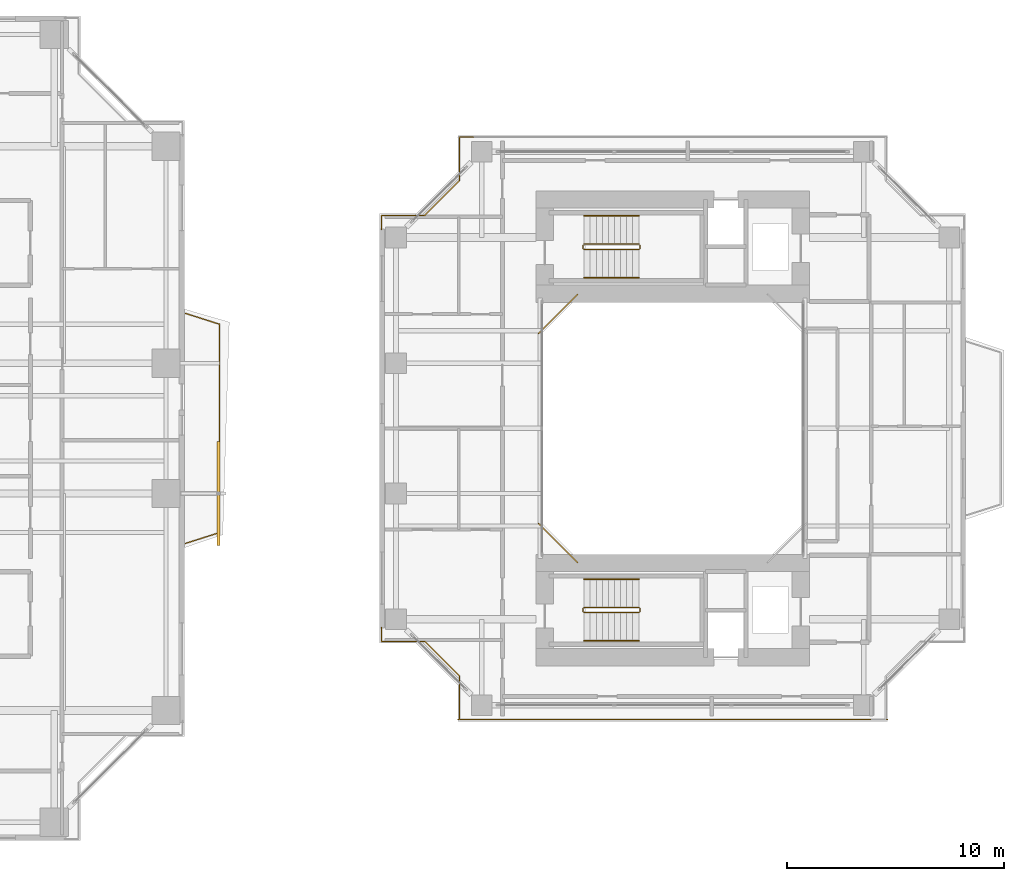
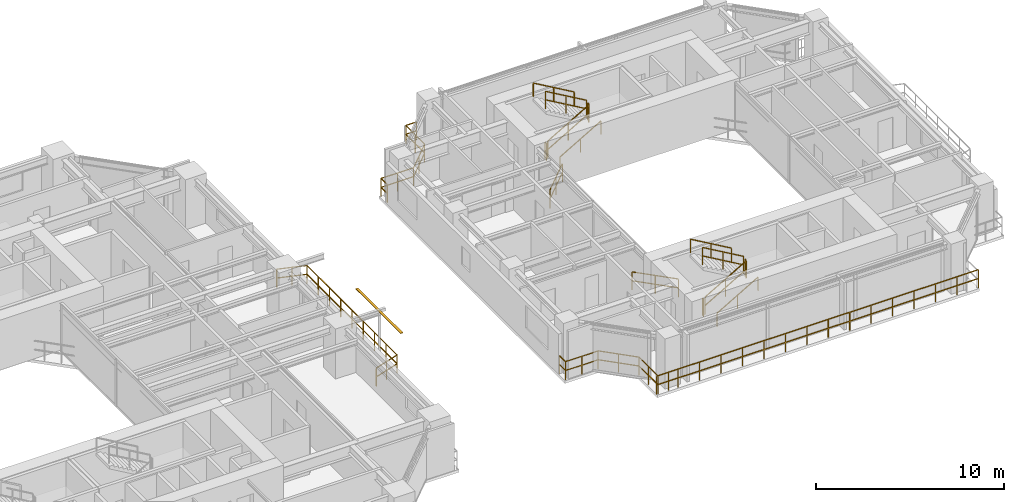
# One storey, part 22 of 24: 18 railings, 1 shading device.
"""IFC4 building model written with IfcOpenShell, lengths in metres."""

from ifc_helpers import new_model, si_unit, direction, frame, origin, origin_2d, place, context, subcontext, project, spatial, rectangle, extrude, source, transform, mapped, material, material_profile, profile_set, type_object, element, save


model = new_model("IFC4")

# Units and contexts
model_context = context("Model", 3, precision=1e-05, world=origin(), true_north=direction((0.0, 1.0)))
body_context = subcontext(model_context, "Body", "Model", "MODEL_VIEW")
ifc_project = project(units=[si_unit("LENGTHUNIT", "METRE"), si_unit("AREAUNIT", "SQUARE_METRE"), si_unit("VOLUMEUNIT", "CUBIC_METRE"), si_unit("PLANEANGLEUNIT", "RADIAN"), si_unit("MASSUNIT", "GRAM", prefix="KILO"), si_unit("THERMODYNAMICTEMPERATUREUNIT", "KELVIN"), si_unit("POWERUNIT", "WATT")], contexts=[model_context])

# Site, building, storey
site_placement = place(None, origin())
site = spatial("IfcSite", under=ifc_project, at=site_placement, CompositionType="ELEMENT")
building_placement = place(site_placement, origin())
building = spatial("IfcBuilding", under=site, at=building_placement, Name="Qiaomeng Ring Towers", CompositionType="ELEMENT")
storey_placement = place(building_placement, frame((0.0, 0.0, 63.25)))
storey = spatial("IfcBuildingStorey", under=building, at=storey_placement, Name="L17", CompositionType="ELEMENT", Elevation=63.25)

# Railings
ifc_material_1 = material(Name="Low-E pale-green laminated safety glass", Category="glass")
railing_type_1 = type_object("IfcRailingType", Name="ARC-RL-BAL1", PredefinedType="BALUSTRADE", material=ifc_material_1)
railing_1_placement = place(storey_placement, frame((38.050048828125, 17.699951171875, 0.0)))
element("IfcRailing", 1, at=railing_1_placement, inside=storey, type_object=railing_type_1, Name="L17 Balustrade ARC-BAL-L17-T1-E", PredefinedType="BALUSTRADE", context=body_context, shape_type="SweptSolid", body=[
    extrude(rectangle(XDim=0.048095703125, YDim=0.048095703125, at=origin_2d()), frame((0.0, 0.0, 1.17578125), z_axis=(0.952849860715, 0.303442157479, 0.0), x_axis=(-0.303442157479, 0.952849860715, 0.0)), (0.0, 0.0, 1.0), 1.647705078125),
    extrude(rectangle(XDim=0.048095703125, YDim=0.048095703125, at=origin_2d()), frame((0.0, 0.0, 0.60009765625), z_axis=(0.952849860715, 0.303442157479, 0.0), x_axis=(-0.303442157479, 0.952849860715, 0.0)), (0.0, 0.0, 1.0), 1.647705078125),
    extrude(rectangle(XDim=0.048095703125, YDim=0.048095703125, at=origin_2d()), frame((1.570068359375, 0.5, 1.17578125), z_axis=(0.0, 1.0, 0.0), x_axis=(-1.0, 0.0, 0.0)), (0.0, 0.0, 1.0), 9.60009765625),
    extrude(rectangle(XDim=0.048095703125, YDim=0.048095703125, at=origin_2d()), frame((1.570068359375, 0.5, 0.60009765625), z_axis=(0.0, 1.0, 0.0), x_axis=(-1.0, 0.0, 0.0)), (0.0, 0.0, 1.0), 9.60009765625),
    extrude(rectangle(XDim=0.048095703125, YDim=0.048095703125, at=origin_2d()), frame((1.570068359375, 10.10009765625, 1.17578125), z_axis=(-0.952849860715, 0.303442157479, 0.0), x_axis=(-0.303442157479, -0.952849860715, 0.0)), (0.0, 0.0, 1.0), 1.647705078125),
    extrude(rectangle(XDim=0.048095703125, YDim=0.048095703125, at=origin_2d()), frame((1.570068359375, 10.10009765625, 0.60009765625), z_axis=(-0.952849860715, 0.303442157479, 0.0), x_axis=(-0.303442157479, -0.952849860715, 0.0)), (0.0, 0.0, 1.0), 1.647705078125),
    extrude(rectangle(XDim=0.0419921875, YDim=0.0419921875, at=origin_2d()), origin(), (0.0, 0.0, 1.0), 1.15185546875),
    extrude(rectangle(XDim=0.0419921875, YDim=0.0419921875, at=origin_2d()), frame((0.78515625, 0.25, 0.0)), (0.0, 0.0, 1.0), 1.15185546875),
    extrude(rectangle(XDim=0.0419921875, YDim=0.0419921875, at=origin_2d()), frame((1.570068359375, 0.5, 0.0)), (0.0, 0.0, 1.0), 1.15185546875),
    extrude(rectangle(XDim=0.0419921875, YDim=0.0419921875, at=origin_2d()), frame((1.570068359375, 1.699951171875, 0.0)), (0.0, 0.0, 1.0), 1.15185546875),
    extrude(rectangle(XDim=0.0419921875, YDim=0.0419921875, at=origin_2d()), frame((1.570068359375, 2.89990234375, 0.0)), (0.0, 0.0, 1.0), 1.15185546875),
    extrude(rectangle(XDim=0.0419921875, YDim=0.0419921875, at=origin_2d()), frame((1.570068359375, 4.10009765625, 0.0)), (0.0, 0.0, 1.0), 1.15185546875),
    extrude(rectangle(XDim=0.0419921875, YDim=0.0419921875, at=origin_2d()), frame((1.570068359375, 5.300048828125, 0.0)), (0.0, 0.0, 1.0), 1.15185546875),
    extrude(rectangle(XDim=0.0419921875, YDim=0.0419921875, at=origin_2d()), frame((1.570068359375, 6.5, 0.0)), (0.0, 0.0, 1.0), 1.15185546875),
    extrude(rectangle(XDim=0.0419921875, YDim=0.0419921875, at=origin_2d()), frame((1.570068359375, 7.7001953125, 0.0)), (0.0, 0.0, 1.0), 1.15185546875),
    extrude(rectangle(XDim=0.0419921875, YDim=0.0419921875, at=origin_2d()), frame((1.570068359375, 8.900146484375, 0.0)), (0.0, 0.0, 1.0), 1.15185546875),
    extrude(rectangle(XDim=0.0419921875, YDim=0.0419921875, at=origin_2d()), frame((1.570068359375, 10.10009765625, 0.0)), (0.0, 0.0, 1.0), 1.15185546875),
    extrude(rectangle(XDim=0.0419921875, YDim=0.0419921875, at=origin_2d()), frame((0.78515625, 10.35009765625, 0.0)), (0.0, 0.0, 1.0), 1.15185546875),
    extrude(rectangle(XDim=0.0419921875, YDim=0.0419921875, at=origin_2d()), frame((0.0, 10.60009765625, 0.0)), (0.0, 0.0, 1.0), 1.15185546875),
])
railing_2_placement = place(storey_placement, frame((56.1201171875, 29.179931640625, 0.0)))
element("IfcRailing", 2, at=railing_2_placement, inside=storey, type_object=railing_type_1, Name="L17 Balustrade ARC-BAL-WELL2-L17-3", PredefinedType="BALUSTRADE", context=body_context, shape_type="SweptSolid", body=[
    extrude(rectangle(XDim=0.048095703125, YDim=0.048095703125, at=origin_2d()), frame((0.0, 0.0, 1.17578125), z_axis=(-0.707106781187, -0.707106781187, 0.0), x_axis=(0.707106781187, -0.707106781187, 0.0)), (0.0, 0.0, 1.0), 2.545654296875),
    extrude(rectangle(XDim=0.048095703125, YDim=0.048095703125, at=origin_2d()), frame((0.0, 0.0, 0.60009765625), z_axis=(-0.707106781187, -0.707106781187, 0.0), x_axis=(0.707106781187, -0.707106781187, 0.0)), (0.0, 0.0, 1.0), 2.545654296875),
    extrude(rectangle(XDim=0.0419921875, YDim=0.0419921875, at=origin_2d()), origin(), (0.0, 0.0, 1.0), 1.15185546875),
    extrude(rectangle(XDim=0.0419921875, YDim=0.0419921875, at=origin_2d()), frame((-0.89990234375, -0.89990234375, 0.0)), (0.0, 0.0, 1.0), 1.15185546875),
    extrude(rectangle(XDim=0.0419921875, YDim=0.0419921875, at=origin_2d()), frame((-1.800048828125, -1.800048828125, 0.0)), (0.0, 0.0, 1.0), 1.15185546875),
])
railing_3_placement = place(storey_placement, frame((54.320068359375, 18.6201171875, 0.0)))
element("IfcRailing", 3, at=railing_3_placement, inside=storey, type_object=railing_type_1, Name="L17 Balustrade ARC-BAL-WELL2-L17-4", PredefinedType="BALUSTRADE", context=body_context, shape_type="SweptSolid", body=[
    extrude(rectangle(XDim=0.048095703125, YDim=0.048095703125, at=origin_2d()), frame((0.0, 0.0, 1.17578125), z_axis=(0.707106781187, -0.707106781187, 0.0), x_axis=(0.707106781187, 0.707106781187, 0.0)), (0.0, 0.0, 1.0), 2.545654296875),
    extrude(rectangle(XDim=0.048095703125, YDim=0.048095703125, at=origin_2d()), frame((0.0, 0.0, 0.60009765625), z_axis=(0.707106781187, -0.707106781187, 0.0), x_axis=(0.707106781187, 0.707106781187, 0.0)), (0.0, 0.0, 1.0), 2.545654296875),
    extrude(rectangle(XDim=0.0419921875, YDim=0.0419921875, at=origin_2d()), origin(), (0.0, 0.0, 1.0), 1.15185546875),
    extrude(rectangle(XDim=0.0419921875, YDim=0.0419921875, at=origin_2d()), frame((0.89990234375, -0.89990234375, 0.0)), (0.0, 0.0, 1.0), 1.15185546875),
    extrude(rectangle(XDim=0.0419921875, YDim=0.0419921875, at=origin_2d()), frame((1.800048828125, -1.800048828125, 0.0)), (0.0, 0.0, 1.0), 1.15185546875),
])
railing_4_placement = place(storey_placement, frame((51.330078125, 36.419921875, 0.0)))
element("IfcRailing", 4, at=railing_4_placement, inside=storey, type_object=railing_type_1, Name="L17 Balustrade ARC-BAL-NOTCH2-L17-NW", PredefinedType="BALUSTRADE", context=body_context, shape_type="SweptSolid", body=[
    extrude(rectangle(XDim=0.048095703125, YDim=0.048095703125, at=origin_2d()), frame((0.0, 0.0, 1.17578125), z_axis=(-1.0, 0.0, 0.0), x_axis=(0.0, -1.0, 0.0)), (0.0, 0.0, 1.0), 0.650146484375),
    extrude(rectangle(XDim=0.048095703125, YDim=0.048095703125, at=origin_2d()), frame((0.0, 0.0, 0.60009765625), z_axis=(-1.0, 0.0, 0.0), x_axis=(0.0, -1.0, 0.0)), (0.0, 0.0, 1.0), 0.650146484375),
    extrude(rectangle(XDim=0.048095703125, YDim=0.048095703125, at=origin_2d()), frame((-0.650146484375, 0.0, 1.17578125), z_axis=(0.0, -1.0, 0.0), x_axis=(1.0, 0.0, 0.0)), (0.0, 0.0, 1.0), 2.0),
    extrude(rectangle(XDim=0.048095703125, YDim=0.048095703125, at=origin_2d()), frame((-0.650146484375, 0.0, 0.60009765625), z_axis=(0.0, -1.0, 0.0), x_axis=(1.0, 0.0, 0.0)), (0.0, 0.0, 1.0), 2.0),
    extrude(rectangle(XDim=0.048095703125, YDim=0.048095703125, at=origin_2d()), frame((-0.650146484375, -2.0, 1.17578125), z_axis=(-0.707106781187, -0.707106781187, 0.0), x_axis=(0.707106781187, -0.707106781187, 0.0)), (0.0, 0.0, 1.0), 2.262451171875),
    extrude(rectangle(XDim=0.048095703125, YDim=0.048095703125, at=origin_2d()), frame((-0.650146484375, -2.0, 0.60009765625), z_axis=(-0.707106781187, -0.707106781187, 0.0), x_axis=(0.707106781187, -0.707106781187, 0.0)), (0.0, 0.0, 1.0), 2.262451171875),
    extrude(rectangle(XDim=0.048095703125, YDim=0.048095703125, at=origin_2d()), frame((-2.25, -3.599853515625, 1.17578125), z_axis=(-1.0, 0.0, 0.0), x_axis=(0.0, -1.0, 0.0)), (0.0, 0.0, 1.0), 2.0),
    extrude(rectangle(XDim=0.048095703125, YDim=0.048095703125, at=origin_2d()), frame((-2.25, -3.599853515625, 0.60009765625), z_axis=(-1.0, 0.0, 0.0), x_axis=(0.0, -1.0, 0.0)), (0.0, 0.0, 1.0), 2.0),
    extrude(rectangle(XDim=0.048095703125, YDim=0.048095703125, at=origin_2d()), frame((-4.25, -3.599853515625, 1.17578125), z_axis=(0.0, -1.0, 0.0), x_axis=(1.0, 0.0, 0.0)), (0.0, 0.0, 1.0), 0.650146484375),
    extrude(rectangle(XDim=0.048095703125, YDim=0.048095703125, at=origin_2d()), frame((-4.25, -3.599853515625, 0.60009765625), z_axis=(0.0, -1.0, 0.0), x_axis=(1.0, 0.0, 0.0)), (0.0, 0.0, 1.0), 0.650146484375),
    extrude(rectangle(XDim=0.0419921875, YDim=0.0419921875, at=origin_2d()), origin(), (0.0, 0.0, 1.0), 1.15185546875),
    extrude(rectangle(XDim=0.0419921875, YDim=0.0419921875, at=origin_2d()), frame((-0.650146484375, 0.0, 0.0)), (0.0, 0.0, 1.0), 1.15185546875),
    extrude(rectangle(XDim=0.0419921875, YDim=0.0419921875, at=origin_2d()), frame((-0.650146484375, -1.0, 0.0)), (0.0, 0.0, 1.0), 1.15185546875),
    extrude(rectangle(XDim=0.0419921875, YDim=0.0419921875, at=origin_2d()), frame((-0.650146484375, -2.0, 0.0)), (0.0, 0.0, 1.0), 1.15185546875),
    extrude(rectangle(XDim=0.0419921875, YDim=0.0419921875, at=origin_2d()), frame((-1.4501953125, -2.7998046875, 0.0)), (0.0, 0.0, 1.0), 1.15185546875),
    extrude(rectangle(XDim=0.0419921875, YDim=0.0419921875, at=origin_2d()), frame((-2.25, -3.599853515625, 0.0)), (0.0, 0.0, 1.0), 1.15185546875),
    extrude(rectangle(XDim=0.0419921875, YDim=0.0419921875, at=origin_2d()), frame((-3.25, -3.599853515625, 0.0)), (0.0, 0.0, 1.0), 1.15185546875),
    extrude(rectangle(XDim=0.0419921875, YDim=0.0419921875, at=origin_2d()), frame((-4.25, -3.599853515625, 0.0)), (0.0, 0.0, 1.0), 1.15185546875),
    extrude(rectangle(XDim=0.0419921875, YDim=0.0419921875, at=origin_2d()), frame((-4.25, -4.25, 0.0)), (0.0, 0.0, 1.0), 1.15185546875),
])
railing_5_placement = place(storey_placement, frame((47.080078125, 13.830078125, 0.0)))
element("IfcRailing", 5, at=railing_5_placement, inside=storey, type_object=railing_type_1, Name="L17 Balustrade ARC-BAL-NOTCH2-L17-SW", PredefinedType="BALUSTRADE", context=body_context, shape_type="SweptSolid", body=[
    extrude(rectangle(XDim=0.048095703125, YDim=0.048095703125, at=origin_2d()), frame((0.0, 0.0, 1.17578125), z_axis=(0.0, -1.0, 0.0), x_axis=(1.0, 0.0, 0.0)), (0.0, 0.0, 1.0), 0.650146484375),
    extrude(rectangle(XDim=0.048095703125, YDim=0.048095703125, at=origin_2d()), frame((0.0, 0.0, 0.60009765625), z_axis=(0.0, -1.0, 0.0), x_axis=(1.0, 0.0, 0.0)), (0.0, 0.0, 1.0), 0.650146484375),
    extrude(rectangle(XDim=0.048095703125, YDim=0.048095703125, at=origin_2d()), frame((0.0, -0.650146484375, 1.17578125), z_axis=(1.0, 0.0, 0.0), x_axis=(0.0, 1.0, 0.0)), (0.0, 0.0, 1.0), 2.0),
    extrude(rectangle(XDim=0.048095703125, YDim=0.048095703125, at=origin_2d()), frame((0.0, -0.650146484375, 0.60009765625), z_axis=(1.0, 0.0, 0.0), x_axis=(0.0, 1.0, 0.0)), (0.0, 0.0, 1.0), 2.0),
    extrude(rectangle(XDim=0.048095703125, YDim=0.048095703125, at=origin_2d()), frame((2.0, -0.650146484375, 1.17578125), z_axis=(0.707106781187, -0.707106781187, 0.0), x_axis=(0.707106781187, 0.707106781187, 0.0)), (0.0, 0.0, 1.0), 2.262451171875),
    extrude(rectangle(XDim=0.048095703125, YDim=0.048095703125, at=origin_2d()), frame((2.0, -0.650146484375, 0.60009765625), z_axis=(0.707106781187, -0.707106781187, 0.0), x_axis=(0.707106781187, 0.707106781187, 0.0)), (0.0, 0.0, 1.0), 2.262451171875),
    extrude(rectangle(XDim=0.048095703125, YDim=0.048095703125, at=origin_2d()), frame((3.599853515625, -2.25, 1.17578125), z_axis=(0.0, -1.0, 0.0), x_axis=(1.0, 0.0, 0.0)), (0.0, 0.0, 1.0), 2.0),
    extrude(rectangle(XDim=0.048095703125, YDim=0.048095703125, at=origin_2d()), frame((3.599853515625, -2.25, 0.60009765625), z_axis=(0.0, -1.0, 0.0), x_axis=(1.0, 0.0, 0.0)), (0.0, 0.0, 1.0), 2.0),
    extrude(rectangle(XDim=0.048095703125, YDim=0.048095703125, at=origin_2d()), frame((3.599853515625, -4.25, 1.17578125), z_axis=(1.0, 0.0, 0.0), x_axis=(0.0, 1.0, 0.0)), (0.0, 0.0, 1.0), 0.650146484375),
    extrude(rectangle(XDim=0.048095703125, YDim=0.048095703125, at=origin_2d()), frame((3.599853515625, -4.25, 0.60009765625), z_axis=(1.0, 0.0, 0.0), x_axis=(0.0, 1.0, 0.0)), (0.0, 0.0, 1.0), 0.650146484375),
    extrude(rectangle(XDim=0.0419921875, YDim=0.0419921875, at=origin_2d()), origin(), (0.0, 0.0, 1.0), 1.15185546875),
    extrude(rectangle(XDim=0.0419921875, YDim=0.0419921875, at=origin_2d()), frame((0.0, -0.650146484375, 0.0)), (0.0, 0.0, 1.0), 1.15185546875),
    extrude(rectangle(XDim=0.0419921875, YDim=0.0419921875, at=origin_2d()), frame((1.0, -0.650146484375, 0.0)), (0.0, 0.0, 1.0), 1.15185546875),
    extrude(rectangle(XDim=0.0419921875, YDim=0.0419921875, at=origin_2d()), frame((2.0, -0.650146484375, 0.0)), (0.0, 0.0, 1.0), 1.15185546875),
    extrude(rectangle(XDim=0.0419921875, YDim=0.0419921875, at=origin_2d()), frame((2.7998046875, -1.4501953125, 0.0)), (0.0, 0.0, 1.0), 1.15185546875),
    extrude(rectangle(XDim=0.0419921875, YDim=0.0419921875, at=origin_2d()), frame((3.599853515625, -2.25, 0.0)), (0.0, 0.0, 1.0), 1.15185546875),
    extrude(rectangle(XDim=0.0419921875, YDim=0.0419921875, at=origin_2d()), frame((3.599853515625, -3.25, 0.0)), (0.0, 0.0, 1.0), 1.15185546875),
    extrude(rectangle(XDim=0.0419921875, YDim=0.0419921875, at=origin_2d()), frame((3.599853515625, -4.25, 0.0)), (0.0, 0.0, 1.0), 1.15185546875),
    extrude(rectangle(XDim=0.0419921875, YDim=0.0419921875, at=origin_2d()), frame((4.25, -4.25, 0.0)), (0.0, 0.0, 1.0), 1.15185546875),
])
railing_6_placement = place(storey_placement, frame((50.60009765625, 9.580078125, 0.0)))
element("IfcRailing", 6, at=railing_6_placement, inside=storey, type_object=railing_type_1, Name="L17 Balustrade ARC-BAL-T2S-L17", PredefinedType="BALUSTRADE", context=body_context, shape_type="SweptSolid", body=[
    extrude(rectangle(XDim=0.048095703125, YDim=0.048095703125, at=origin_2d()), frame((0.0, 0.0, 1.17578125), z_axis=(1.0, 0.0, 0.0), x_axis=(0.0, 1.0, 0.0)), (0.0, 0.0, 1.0), 19.7998046875),
    extrude(rectangle(XDim=0.048095703125, YDim=0.048095703125, at=origin_2d()), frame((0.0, 0.0, 0.60009765625), z_axis=(1.0, 0.0, 0.0), x_axis=(0.0, 1.0, 0.0)), (0.0, 0.0, 1.0), 19.7998046875),
    extrude(rectangle(XDim=0.0419921875, YDim=0.0419921875, at=origin_2d()), origin(), (0.0, 0.0, 1.0), 1.15185546875),
    extrude(rectangle(XDim=0.0419921875, YDim=0.0419921875, at=origin_2d()), frame((1.320068359375, 0.0, 0.0)), (0.0, 0.0, 1.0), 1.15185546875),
    extrude(rectangle(XDim=0.0419921875, YDim=0.0419921875, at=origin_2d()), frame((2.639892578125, 0.0, 0.0)), (0.0, 0.0, 1.0), 1.15185546875),
    extrude(rectangle(XDim=0.0419921875, YDim=0.0419921875, at=origin_2d()), frame((3.9599609375, 0.0, 0.0)), (0.0, 0.0, 1.0), 1.15185546875),
    extrude(rectangle(XDim=0.0419921875, YDim=0.0419921875, at=origin_2d()), frame((5.280029296875, 0.0, 0.0)), (0.0, 0.0, 1.0), 1.15185546875),
    extrude(rectangle(XDim=0.0419921875, YDim=0.0419921875, at=origin_2d()), frame((6.599853515625, 0.0, 0.0)), (0.0, 0.0, 1.0), 1.15185546875),
    extrude(rectangle(XDim=0.0419921875, YDim=0.0419921875, at=origin_2d()), frame((7.919921875, 0.0, 0.0)), (0.0, 0.0, 1.0), 1.15185546875),
    extrude(rectangle(XDim=0.0419921875, YDim=0.0419921875, at=origin_2d()), frame((9.239990234375, 0.0, 0.0)), (0.0, 0.0, 1.0), 1.15185546875),
    extrude(rectangle(XDim=0.0419921875, YDim=0.0419921875, at=origin_2d()), frame((10.559814453125, 0.0, 0.0)), (0.0, 0.0, 1.0), 1.15185546875),
    extrude(rectangle(XDim=0.0419921875, YDim=0.0419921875, at=origin_2d()), frame((11.8798828125, 0.0, 0.0)), (0.0, 0.0, 1.0), 1.15185546875),
    extrude(rectangle(XDim=0.0419921875, YDim=0.0419921875, at=origin_2d()), frame((13.199951171875, 0.0, 0.0)), (0.0, 0.0, 1.0), 1.15185546875),
    extrude(rectangle(XDim=0.0419921875, YDim=0.0419921875, at=origin_2d()), frame((14.519775390625, 0.0, 0.0)), (0.0, 0.0, 1.0), 1.15185546875),
    extrude(rectangle(XDim=0.0419921875, YDim=0.0419921875, at=origin_2d()), frame((15.83984375, 0.0, 0.0)), (0.0, 0.0, 1.0), 1.15185546875),
    extrude(rectangle(XDim=0.0419921875, YDim=0.0419921875, at=origin_2d()), frame((17.159912109375, 0.0, 0.0)), (0.0, 0.0, 1.0), 1.15185546875),
    extrude(rectangle(XDim=0.0419921875, YDim=0.0419921875, at=origin_2d()), frame((18.479736328125, 0.0, 0.0)), (0.0, 0.0, 1.0), 1.15185546875),
    extrude(rectangle(XDim=0.0419921875, YDim=0.0419921875, at=origin_2d()), frame((19.7998046875, 0.0, 0.0)), (0.0, 0.0, 1.0), 1.15185546875),
])
ifc_material_2 = material(Name="Galvanised steel", Category="steel")
railing_type_2 = type_object("IfcRailingType", Name="ARC-RL-GUARD", PredefinedType="GUARDRAIL", material=ifc_material_2)
railing_7_placement = place(storey_placement, frame((56.419921875, 31.25, 0.16259765625)))
element("IfcRailing", 7, at=railing_7_placement, inside=storey, type_object=railing_type_2, Name="L17 ST5 stair guard 1", PredefinedType="GUARDRAIL", context=body_context, shape_type="SweptSolid", body=[
    extrude(rectangle(XDim=0.048095703125, YDim=0.048095703125, at=origin_2d()), frame((0.0, 0.0, 1.1259765625), z_axis=(0.864913338283, 0.0, 0.50192122615), x_axis=(0.0, 1.0, 0.0)), (0.0, 0.0, 1.0), 2.91357421875),
    extrude(rectangle(XDim=0.048095703125, YDim=0.048095703125, at=origin_2d()), frame((0.0, 0.0, 0.574951171875), z_axis=(0.864913338283, 0.0, 0.50192122615), x_axis=(0.0, 1.0, 0.0)), (0.0, 0.0, 1.0), 2.91357421875),
    extrude(rectangle(XDim=0.0419921875, YDim=0.0419921875, at=origin_2d()), origin(), (0.0, 0.0, 1.0), 1.101806640625),
    extrude(rectangle(XDim=0.0419921875, YDim=0.0419921875, at=origin_2d()), frame((1.260009765625, 0.0, 0.731201171875)), (0.0, 0.0, 1.0), 1.101806640625),
    extrude(rectangle(XDim=0.0419921875, YDim=0.0419921875, at=origin_2d()), frame((2.52001953125, 0.0, 1.46240234375)), (0.0, 0.0, 1.0), 1.101806640625),
])
railing_8_placement = place(storey_placement, frame((58.989990234375, 31.300048828125, 1.625)))
element("IfcRailing", 8, at=railing_8_placement, inside=storey, type_object=railing_type_2, Name="L17 ST5 stair guard 2", PredefinedType="GUARDRAIL", context=body_context, shape_type="SweptSolid", body=[
    extrude(rectangle(XDim=0.048095703125, YDim=0.048095703125, at=origin_2d()), frame((0.0, 0.0, 1.1259765625), z_axis=(0.0, 1.0, 0.0), x_axis=(-1.0, 0.0, 0.0)), (0.0, 0.0, 1.0), 0.139892578125),
    extrude(rectangle(XDim=0.048095703125, YDim=0.048095703125, at=origin_2d()), frame((0.0, 0.0, 0.574951171875), z_axis=(0.0, 1.0, 0.0), x_axis=(-1.0, 0.0, 0.0)), (0.0, 0.0, 1.0), 0.139892578125),
    extrude(rectangle(XDim=0.0419921875, YDim=0.0419921875, at=origin_2d()), origin(), (0.0, 0.0, 1.0), 1.101806640625),
    extrude(rectangle(XDim=0.0419921875, YDim=0.0419921875, at=origin_2d()), frame((0.0, 0.139892578125, 0.0)), (0.0, 0.0, 1.0), 1.101806640625),
])
railing_9_placement = place(storey_placement, frame((58.93994140625, 31.489990234375, 1.78759765625)))
element("IfcRailing", 9, at=railing_9_placement, inside=storey, type_object=railing_type_2, Name="L17 ST5 stair guard 3", PredefinedType="GUARDRAIL", context=body_context, shape_type="SweptSolid", body=[
    extrude(rectangle(XDim=0.048095703125, YDim=0.048095703125, at=origin_2d()), frame((0.0, 0.0, 1.1259765625), z_axis=(-0.864913338283, 0.0, 0.50192122615), x_axis=(0.0, -1.0, 0.0)), (0.0, 0.0, 1.0), 2.91357421875),
    extrude(rectangle(XDim=0.048095703125, YDim=0.048095703125, at=origin_2d()), frame((0.0, 0.0, 0.574951171875), z_axis=(-0.864913338283, 0.0, 0.50192122615), x_axis=(0.0, -1.0, 0.0)), (0.0, 0.0, 1.0), 2.91357421875),
    extrude(rectangle(XDim=0.0419921875, YDim=0.0419921875, at=origin_2d()), origin(), (0.0, 0.0, 1.0), 1.101806640625),
    extrude(rectangle(XDim=0.0419921875, YDim=0.0419921875, at=origin_2d()), frame((-1.260009765625, 0.0, 0.731201171875)), (0.0, 0.0, 1.0), 1.101806640625),
    extrude(rectangle(XDim=0.0419921875, YDim=0.0419921875, at=origin_2d()), frame((-2.52001953125, 0.0, 1.46240234375)), (0.0, 0.0, 1.0), 1.101806640625),
])
railing_10_placement = place(storey_placement, frame((56.3701171875, 31.300048828125, 0.0)))
element("IfcRailing", 10, at=railing_10_placement, inside=storey, type_object=railing_type_2, Name="L17 ST5 stair guard 4", PredefinedType="GUARDRAIL", context=body_context, shape_type="SweptSolid", body=[
    extrude(rectangle(XDim=0.048095703125, YDim=0.048095703125, at=origin_2d()), frame((0.0, 0.0, 1.1259765625), z_axis=(0.0, 1.0, 0.0), x_axis=(-1.0, 0.0, 0.0)), (0.0, 0.0, 1.0), 0.139892578125),
    extrude(rectangle(XDim=0.048095703125, YDim=0.048095703125, at=origin_2d()), frame((0.0, 0.0, 0.574951171875), z_axis=(0.0, 1.0, 0.0), x_axis=(-1.0, 0.0, 0.0)), (0.0, 0.0, 1.0), 0.139892578125),
    extrude(rectangle(XDim=0.0419921875, YDim=0.0419921875, at=origin_2d()), origin(), (0.0, 0.0, 1.0), 1.101806640625),
    extrude(rectangle(XDim=0.0419921875, YDim=0.0419921875, at=origin_2d()), frame((0.0, 0.139892578125, 0.0)), (0.0, 0.0, 1.0), 1.101806640625),
])
railing_11_placement = place(storey_placement, frame((56.419921875, 14.510009765625, 0.16259765625)))
element("IfcRailing", 11, at=railing_11_placement, inside=storey, type_object=railing_type_2, Name="L17 ST6 stair guard 1", PredefinedType="GUARDRAIL", context=body_context, shape_type="SweptSolid", body=[
    extrude(rectangle(XDim=0.048095703125, YDim=0.048095703125, at=origin_2d()), frame((0.0, 0.0, 1.1259765625), z_axis=(0.864913338283, 0.0, 0.50192122615), x_axis=(0.0, 1.0, 0.0)), (0.0, 0.0, 1.0), 2.91357421875),
    extrude(rectangle(XDim=0.048095703125, YDim=0.048095703125, at=origin_2d()), frame((0.0, 0.0, 0.574951171875), z_axis=(0.864913338283, 0.0, 0.50192122615), x_axis=(0.0, 1.0, 0.0)), (0.0, 0.0, 1.0), 2.91357421875),
    extrude(rectangle(XDim=0.0419921875, YDim=0.0419921875, at=origin_2d()), origin(), (0.0, 0.0, 1.0), 1.101806640625),
    extrude(rectangle(XDim=0.0419921875, YDim=0.0419921875, at=origin_2d()), frame((1.260009765625, 0.0, 0.731201171875)), (0.0, 0.0, 1.0), 1.101806640625),
    extrude(rectangle(XDim=0.0419921875, YDim=0.0419921875, at=origin_2d()), frame((2.52001953125, 0.0, 1.46240234375)), (0.0, 0.0, 1.0), 1.101806640625),
])
railing_12_placement = place(storey_placement, frame((58.989990234375, 14.56005859375, 1.625)))
element("IfcRailing", 12, at=railing_12_placement, inside=storey, type_object=railing_type_2, Name="L17 ST6 stair guard 2", PredefinedType="GUARDRAIL", context=body_context, shape_type="SweptSolid", body=[
    extrude(rectangle(XDim=0.048095703125, YDim=0.048095703125, at=origin_2d()), frame((0.0, 0.0, 1.1259765625), z_axis=(0.0, 1.0, 0.0), x_axis=(-1.0, 0.0, 0.0)), (0.0, 0.0, 1.0), 0.139892578125),
    extrude(rectangle(XDim=0.048095703125, YDim=0.048095703125, at=origin_2d()), frame((0.0, 0.0, 0.574951171875), z_axis=(0.0, 1.0, 0.0), x_axis=(-1.0, 0.0, 0.0)), (0.0, 0.0, 1.0), 0.139892578125),
    extrude(rectangle(XDim=0.0419921875, YDim=0.0419921875, at=origin_2d()), origin(), (0.0, 0.0, 1.0), 1.101806640625),
    extrude(rectangle(XDim=0.0419921875, YDim=0.0419921875, at=origin_2d()), frame((0.0, 0.139892578125, 0.0)), (0.0, 0.0, 1.0), 1.101806640625),
])
railing_13_placement = place(storey_placement, frame((58.93994140625, 14.75, 1.78759765625)))
element("IfcRailing", 13, at=railing_13_placement, inside=storey, type_object=railing_type_2, Name="L17 ST6 stair guard 3", PredefinedType="GUARDRAIL", context=body_context, shape_type="SweptSolid", body=[
    extrude(rectangle(XDim=0.048095703125, YDim=0.048095703125, at=origin_2d()), frame((0.0, 0.0, 1.1259765625), z_axis=(-0.864913338283, 0.0, 0.50192122615), x_axis=(0.0, -1.0, 0.0)), (0.0, 0.0, 1.0), 2.91357421875),
    extrude(rectangle(XDim=0.048095703125, YDim=0.048095703125, at=origin_2d()), frame((0.0, 0.0, 0.574951171875), z_axis=(-0.864913338283, 0.0, 0.50192122615), x_axis=(0.0, -1.0, 0.0)), (0.0, 0.0, 1.0), 2.91357421875),
    extrude(rectangle(XDim=0.0419921875, YDim=0.0419921875, at=origin_2d()), origin(), (0.0, 0.0, 1.0), 1.101806640625),
    extrude(rectangle(XDim=0.0419921875, YDim=0.0419921875, at=origin_2d()), frame((-1.260009765625, 0.0, 0.731201171875)), (0.0, 0.0, 1.0), 1.101806640625),
    extrude(rectangle(XDim=0.0419921875, YDim=0.0419921875, at=origin_2d()), frame((-2.52001953125, 0.0, 1.46240234375)), (0.0, 0.0, 1.0), 1.101806640625),
])
railing_14_placement = place(storey_placement, frame((56.3701171875, 14.56005859375, 0.0)))
element("IfcRailing", 14, at=railing_14_placement, inside=storey, type_object=railing_type_2, Name="L17 ST6 stair guard 4", PredefinedType="GUARDRAIL", context=body_context, shape_type="SweptSolid", body=[
    extrude(rectangle(XDim=0.048095703125, YDim=0.048095703125, at=origin_2d()), frame((0.0, 0.0, 1.1259765625), z_axis=(0.0, 1.0, 0.0), x_axis=(-1.0, 0.0, 0.0)), (0.0, 0.0, 1.0), 0.139892578125),
    extrude(rectangle(XDim=0.048095703125, YDim=0.048095703125, at=origin_2d()), frame((0.0, 0.0, 0.574951171875), z_axis=(0.0, 1.0, 0.0), x_axis=(-1.0, 0.0, 0.0)), (0.0, 0.0, 1.0), 0.139892578125),
    extrude(rectangle(XDim=0.0419921875, YDim=0.0419921875, at=origin_2d()), origin(), (0.0, 0.0, 1.0), 1.101806640625),
    extrude(rectangle(XDim=0.0419921875, YDim=0.0419921875, at=origin_2d()), frame((0.0, 0.139892578125, 0.0)), (0.0, 0.0, 1.0), 1.101806640625),
])
ifc_material_3 = material(Name="Stainless steel 316", Category="steel")
railing_type_3 = type_object("IfcRailingType", Name="ARC-RL-HAND", PredefinedType="HANDRAIL", material=ifc_material_3)
railing_15_placement = place(storey_placement, frame((56.419921875, 29.949951171875, 0.16259765625)))
element("IfcRailing", 15, at=railing_15_placement, inside=storey, type_object=railing_type_3, Name="L17 ST5 stair handrail 1", PredefinedType="HANDRAIL", context=body_context, shape_type="SweptSolid", body=[
    extrude(rectangle(XDim=0.048095703125, YDim=0.048095703125, at=origin_2d()), frame((0.0, 0.0, 0.8759765625), z_axis=(0.864913338283, 0.0, 0.50192122615), x_axis=(0.0, 1.0, 0.0)), (0.0, 0.0, 1.0), 2.91357421875),
    extrude(rectangle(XDim=0.0419921875, YDim=0.0419921875, at=origin_2d()), origin(), (0.0, 0.0, 1.0), 0.851806640625),
    extrude(rectangle(XDim=0.0419921875, YDim=0.0419921875, at=origin_2d()), frame((1.260009765625, 0.0, 0.731201171875)), (0.0, 0.0, 1.0), 0.851806640625),
    extrude(rectangle(XDim=0.0419921875, YDim=0.0419921875, at=origin_2d()), frame((2.52001953125, 0.0, 1.46240234375)), (0.0, 0.0, 1.0), 0.851806640625),
])
railing_16_placement = place(storey_placement, frame((58.93994140625, 32.7900390625, 1.78759765625)))
element("IfcRailing", 16, at=railing_16_placement, inside=storey, type_object=railing_type_3, Name="L17 ST5 stair handrail 2", PredefinedType="HANDRAIL", context=body_context, shape_type="SweptSolid", body=[
    extrude(rectangle(XDim=0.048095703125, YDim=0.048095703125, at=origin_2d()), frame((0.0, 0.0, 0.8759765625), z_axis=(-0.864913338283, 0.0, 0.50192122615), x_axis=(0.0, -1.0, 0.0)), (0.0, 0.0, 1.0), 2.91357421875),
    extrude(rectangle(XDim=0.0419921875, YDim=0.0419921875, at=origin_2d()), origin(), (0.0, 0.0, 1.0), 0.851806640625),
    extrude(rectangle(XDim=0.0419921875, YDim=0.0419921875, at=origin_2d()), frame((-1.260009765625, 0.0, 0.731201171875)), (0.0, 0.0, 1.0), 0.851806640625),
    extrude(rectangle(XDim=0.0419921875, YDim=0.0419921875, at=origin_2d()), frame((-2.52001953125, 0.0, 1.46240234375)), (0.0, 0.0, 1.0), 0.851806640625),
])
railing_17_placement = place(storey_placement, frame((56.419921875, 13.2099609375, 0.16259765625)))
element("IfcRailing", 17, at=railing_17_placement, inside=storey, type_object=railing_type_3, Name="L17 ST6 stair handrail 1", PredefinedType="HANDRAIL", context=body_context, shape_type="SweptSolid", body=[
    extrude(rectangle(XDim=0.048095703125, YDim=0.048095703125, at=origin_2d()), frame((0.0, 0.0, 0.8759765625), z_axis=(0.864913338283, 0.0, 0.50192122615), x_axis=(0.0, 1.0, 0.0)), (0.0, 0.0, 1.0), 2.91357421875),
    extrude(rectangle(XDim=0.0419921875, YDim=0.0419921875, at=origin_2d()), origin(), (0.0, 0.0, 1.0), 0.851806640625),
    extrude(rectangle(XDim=0.0419921875, YDim=0.0419921875, at=origin_2d()), frame((1.260009765625, 0.0, 0.731201171875)), (0.0, 0.0, 1.0), 0.851806640625),
    extrude(rectangle(XDim=0.0419921875, YDim=0.0419921875, at=origin_2d()), frame((2.52001953125, 0.0, 1.46240234375)), (0.0, 0.0, 1.0), 0.851806640625),
])
railing_18_placement = place(storey_placement, frame((58.93994140625, 16.050048828125, 1.78759765625)))
element("IfcRailing", 18, at=railing_18_placement, inside=storey, type_object=railing_type_3, Name="L17 ST6 stair handrail 2", PredefinedType="HANDRAIL", context=body_context, shape_type="SweptSolid", body=[
    extrude(rectangle(XDim=0.048095703125, YDim=0.048095703125, at=origin_2d()), frame((0.0, 0.0, 0.8759765625), z_axis=(-0.864913338283, 0.0, 0.50192122615), x_axis=(0.0, -1.0, 0.0)), (0.0, 0.0, 1.0), 2.91357421875),
    extrude(rectangle(XDim=0.0419921875, YDim=0.0419921875, at=origin_2d()), origin(), (0.0, 0.0, 1.0), 0.851806640625),
    extrude(rectangle(XDim=0.0419921875, YDim=0.0419921875, at=origin_2d()), frame((-1.260009765625, 0.0, 0.731201171875)), (0.0, 0.0, 1.0), 0.851806640625),
    extrude(rectangle(XDim=0.0419921875, YDim=0.0419921875, at=origin_2d()), frame((-2.52001953125, 0.0, 1.46240234375)), (0.0, 0.0, 1.0), 0.851806640625),
])

# Shading device
ifc_material_4 = material(Name="Fluorocarbon dark-grey aluminium", Category="aluminium")
ifc_material_profile = material_profile(ifc_material_4, rectangle(XDim=0.14990234375, YDim=0.034912109375, at=origin_2d()), Name="LV BLADE 150x35")
ifc_profile_set = profile_set([ifc_material_profile], Name="Fluorocarbon dark-grey aluminium")
shading_device_type = type_object("IfcShadingDeviceType", Name="ARC-SHD-SUN", PredefinedType="AWNING", material=ifc_profile_set)
shared_shape = source(origin(), body_context, "Body", "SweptSolid", [
    extrude(rectangle(XDim=0.14990234375, YDim=0.034912109375, at=origin_2d()), origin(), (0.0, 0.0, 1.0), 4.7998046875),
])
shading_device_placement = place(storey_placement, frame((39.570068359375, 17.60009765625, 2.969970703125), z_axis=(0.0, 1.0, 0.0), x_axis=(-1.0, 0.0, 0.0)))
element("IfcShadingDevice", 19, at=shading_device_placement, inside=storey, type_object=shading_device_type, Name="L17 Ventilated Outer-Skin Sunshade E", PredefinedType="AWNING", context=body_context, shape_type="MappedRepresentation", body=[
    mapped(shared_shape, transform((0.0, 0.0, 0.0), x_axis=(1.0, 0.0, 0.0), y_axis=(0.0, 1.0, 0.0), z_axis=(0.0, 0.0, 1.0), scale=1.0)),
])

save(model, "model.ifc")
